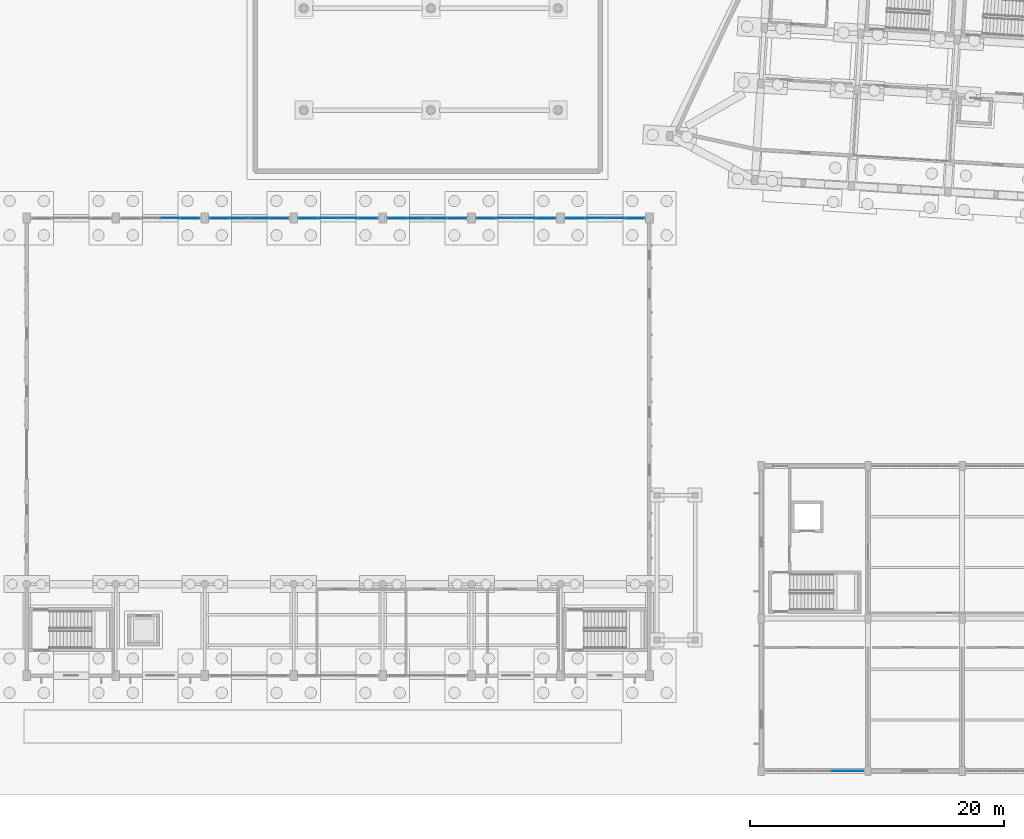
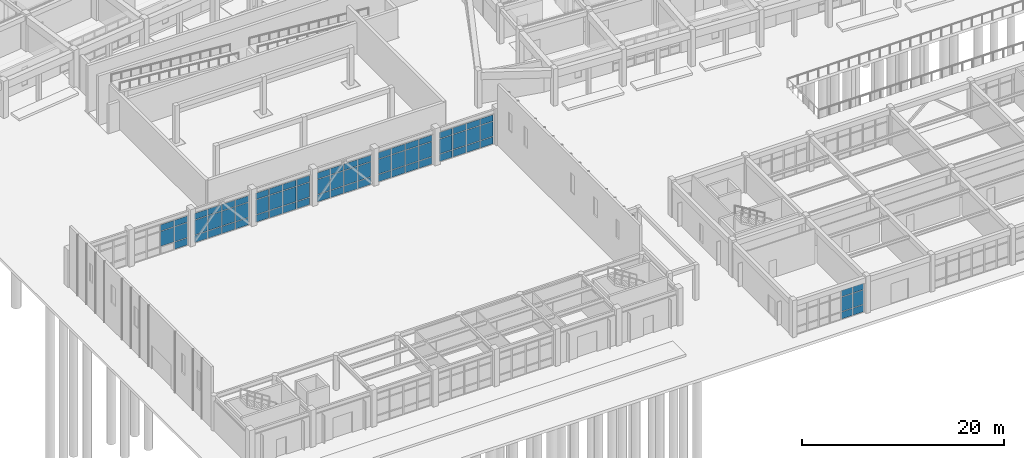
# One storey, part 101 of 154: 71 plates, 7 elements without a shape of their own.
"""IFC4 building model written with IfcOpenShell, lengths in metres."""

from ifc_helpers import new_model, si_unit, direction, frame, origin, origin_2d, place, context, subcontext, project, spatial, rectangle, extrude, material, layer, layer_set, type_object, element, aggregate, save


model = new_model("IFC4")

# Units and contexts
model_context = context("Model", 3, precision=1e-05, world=origin(), true_north=direction((0.0, 1.0)))
body_context = subcontext(model_context, "Body", "Model", "MODEL_VIEW")
ifc_project = project(units=[si_unit("LENGTHUNIT", "METRE"), si_unit("AREAUNIT", "SQUARE_METRE"), si_unit("VOLUMEUNIT", "CUBIC_METRE"), si_unit("PLANEANGLEUNIT", "RADIAN"), si_unit("MASSUNIT", "GRAM", prefix="KILO")], contexts=[model_context])

# Site, building, storey
site_placement = place(None, origin())
site = spatial("IfcSite", under=ifc_project, at=site_placement, CompositionType="ELEMENT")
building_placement = place(site_placement, origin())
building = spatial("IfcBuilding", under=site, at=building_placement, Name="Kestramere Prow Commons", CompositionType="ELEMENT")
storey_placement = place(building_placement, origin())
storey = spatial("IfcBuildingStorey", under=building, at=storey_placement, Name="L00", CompositionType="ELEMENT", Elevation=0.0)

# Curtain wall, plates
ifc_material_1 = material(Name="Anodised Aluminium and Low-E Glass", Category="aluminium")
curtain_wall_type_1 = type_object("IfcCurtainWallType", Name="CW-11 Glazed Curtain Wall 6300x3650", PredefinedType="USERDEFINED", material=ifc_material_1)
curtain_wall_1_placement = place(storey_placement, origin())
curtain_wall_1 = element("IfcCurtainWall", 1, at=curtain_wall_1_placement, inside=storey, type_object=curtain_wall_type_1, Name="Hall North Courtyard Curtain Wall L00-2", ObjectType="GLAZED CURTAIN WALL", PredefinedType="USERDEFINED")
ifc_material_2 = material(Name="Low-E Laminated Double Glazing", Category="glass")
ifc_layer = layer(ifc_material_2, 0.028076171875)
ifc_layer_set = layer_set([ifc_layer], Name="Low-E Laminated Double Glazing")
plate_type = type_object("IfcPlateType", Name="CW-PNL-28", PredefinedType="CURTAIN_PANEL", material=ifc_layer_set)
plate_1_placement = place(storey_placement, frame((13.487548828125, 43.5, 0.982421875), z_axis=(0.0, 0.0, 1.0), x_axis=(1.0, 0.0, 0.0)))
plate_1 = element("IfcPlate", 2, at=plate_1_placement, type_object=plate_type, Name="CW-11 panel 3.2", PredefinedType="CURTAIN_PANEL", context=body_context, shape_type="SweptSolid", body=[
    extrude(rectangle(XDim=1.510009765625, YDim=0.028076171875, at=origin_2d()), origin(), (0.0, 0.0, 1.0), 1.784912109375),
])
plate_2_placement = place(storey_placement, frame((13.487548828125, 43.5, 2.83251953125), z_axis=(0.0, 0.0, 1.0), x_axis=(1.0, 0.0, 0.0)))
plate_2 = element("IfcPlate", 3, at=plate_2_placement, type_object=plate_type, Name="CW-11 panel 3.3", PredefinedType="CURTAIN_PANEL", context=body_context, shape_type="SweptSolid", body=[
    extrude(rectangle(XDim=1.510009765625, YDim=0.028076171875, at=origin_2d()), origin(), (0.0, 0.0, 1.0), 0.75244140625),
])
plate_3_placement = place(storey_placement, frame((15.046142578125, 43.5, 0.06494140625), z_axis=(0.0, 0.0, 1.0), x_axis=(1.0, 0.0, 0.0)))
plate_3 = element("IfcPlate", 4, at=plate_3_placement, type_object=plate_type, Name="CW-11 panel 4.1", PredefinedType="CURTAIN_PANEL", context=body_context, shape_type="SweptSolid", body=[
    extrude(rectangle(XDim=1.4775390625, YDim=0.028076171875, at=origin_2d()), origin(), (0.0, 0.0, 1.0), 0.8525390625),
])
plate_4_placement = place(storey_placement, frame((15.046142578125, 43.5, 0.982421875), z_axis=(0.0, 0.0, 1.0), x_axis=(1.0, 0.0, 0.0)))
plate_4 = element("IfcPlate", 5, at=plate_4_placement, type_object=plate_type, Name="CW-11 panel 4.2", PredefinedType="CURTAIN_PANEL", context=body_context, shape_type="SweptSolid", body=[
    extrude(rectangle(XDim=1.4775390625, YDim=0.028076171875, at=origin_2d()), origin(), (0.0, 0.0, 1.0), 1.784912109375),
])
plate_5_placement = place(storey_placement, frame((15.046142578125, 43.5, 2.83251953125), z_axis=(0.0, 0.0, 1.0), x_axis=(1.0, 0.0, 0.0)))
plate_5 = element("IfcPlate", 6, at=plate_5_placement, type_object=plate_type, Name="CW-11 panel 4.3", PredefinedType="CURTAIN_PANEL", context=body_context, shape_type="SweptSolid", body=[
    extrude(rectangle(XDim=1.4775390625, YDim=0.028076171875, at=origin_2d()), origin(), (0.0, 0.0, 1.0), 0.75244140625),
])
aggregate(curtain_wall_1, [plate_1, plate_2, plate_3, plate_4, plate_5])

curtain_wall_2_placement = place(storey_placement, origin())
curtain_wall_2 = element("IfcCurtainWall", 7, at=curtain_wall_2_placement, inside=storey, type_object=curtain_wall_type_1, Name="Hall North Courtyard Curtain Wall L00-3", ObjectType="GLAZED CURTAIN WALL", PredefinedType="USERDEFINED")
plate_6_placement = place(storey_placement, frame((17.353759765625, 43.5, 0.06494140625), z_axis=(0.0, 0.0, 1.0), x_axis=(1.0, 0.0, 0.0)))
plate_6 = element("IfcPlate", 8, at=plate_6_placement, type_object=plate_type, Name="CW-11 panel 1.1", PredefinedType="CURTAIN_PANEL", context=body_context, shape_type="SweptSolid", body=[
    extrude(rectangle(XDim=1.4775390625, YDim=0.028076171875, at=origin_2d()), origin(), (0.0, 0.0, 1.0), 0.8525390625),
])
plate_7_placement = place(storey_placement, frame((17.353759765625, 43.5, 0.982421875), z_axis=(0.0, 0.0, 1.0), x_axis=(1.0, 0.0, 0.0)))
plate_7 = element("IfcPlate", 9, at=plate_7_placement, type_object=plate_type, Name="CW-11 panel 1.2", PredefinedType="CURTAIN_PANEL", context=body_context, shape_type="SweptSolid", body=[
    extrude(rectangle(XDim=1.4775390625, YDim=0.028076171875, at=origin_2d()), origin(), (0.0, 0.0, 1.0), 1.784912109375),
])
plate_8_placement = place(storey_placement, frame((17.353759765625, 43.5, 2.83251953125), z_axis=(0.0, 0.0, 1.0), x_axis=(1.0, 0.0, 0.0)))
plate_8 = element("IfcPlate", 10, at=plate_8_placement, type_object=plate_type, Name="CW-11 panel 1.3", PredefinedType="CURTAIN_PANEL", context=body_context, shape_type="SweptSolid", body=[
    extrude(rectangle(XDim=1.4775390625, YDim=0.028076171875, at=origin_2d()), origin(), (0.0, 0.0, 1.0), 0.75244140625),
])
plate_9_placement = place(storey_placement, frame((18.91259765625, 43.5, 0.06494140625), z_axis=(0.0, 0.0, 1.0), x_axis=(1.0, 0.0, 0.0)))
plate_9 = element("IfcPlate", 11, at=plate_9_placement, type_object=plate_type, Name="CW-11 panel 2.1", PredefinedType="CURTAIN_PANEL", context=body_context, shape_type="SweptSolid", body=[
    extrude(rectangle(XDim=1.510009765625, YDim=0.028076171875, at=origin_2d()), origin(), (0.0, 0.0, 1.0), 0.8525390625),
])
plate_10_placement = place(storey_placement, frame((18.91259765625, 43.5, 0.982421875), z_axis=(0.0, 0.0, 1.0), x_axis=(1.0, 0.0, 0.0)))
plate_10 = element("IfcPlate", 12, at=plate_10_placement, type_object=plate_type, Name="CW-11 panel 2.2", PredefinedType="CURTAIN_PANEL", context=body_context, shape_type="SweptSolid", body=[
    extrude(rectangle(XDim=1.510009765625, YDim=0.028076171875, at=origin_2d()), origin(), (0.0, 0.0, 1.0), 1.784912109375),
])
plate_11_placement = place(storey_placement, frame((18.91259765625, 43.5, 2.83251953125), z_axis=(0.0, 0.0, 1.0), x_axis=(1.0, 0.0, 0.0)))
plate_11 = element("IfcPlate", 13, at=plate_11_placement, type_object=plate_type, Name="CW-11 panel 2.3", PredefinedType="CURTAIN_PANEL", context=body_context, shape_type="SweptSolid", body=[
    extrude(rectangle(XDim=1.510009765625, YDim=0.028076171875, at=origin_2d()), origin(), (0.0, 0.0, 1.0), 0.75244140625),
])
plate_12_placement = place(storey_placement, frame((20.487548828125, 43.5, 0.06494140625), z_axis=(0.0, 0.0, 1.0), x_axis=(1.0, 0.0, 0.0)))
plate_12 = element("IfcPlate", 14, at=plate_12_placement, type_object=plate_type, Name="CW-11 panel 3.1", PredefinedType="CURTAIN_PANEL", context=body_context, shape_type="SweptSolid", body=[
    extrude(rectangle(XDim=1.510009765625, YDim=0.028076171875, at=origin_2d()), origin(), (0.0, 0.0, 1.0), 0.8525390625),
])
plate_13_placement = place(storey_placement, frame((20.487548828125, 43.5, 0.982421875), z_axis=(0.0, 0.0, 1.0), x_axis=(1.0, 0.0, 0.0)))
plate_13 = element("IfcPlate", 15, at=plate_13_placement, type_object=plate_type, Name="CW-11 panel 3.2", PredefinedType="CURTAIN_PANEL", context=body_context, shape_type="SweptSolid", body=[
    extrude(rectangle(XDim=1.510009765625, YDim=0.028076171875, at=origin_2d()), origin(), (0.0, 0.0, 1.0), 1.784912109375),
])
plate_14_placement = place(storey_placement, frame((20.487548828125, 43.5, 2.83251953125), z_axis=(0.0, 0.0, 1.0), x_axis=(1.0, 0.0, 0.0)))
plate_14 = element("IfcPlate", 16, at=plate_14_placement, type_object=plate_type, Name="CW-11 panel 3.3", PredefinedType="CURTAIN_PANEL", context=body_context, shape_type="SweptSolid", body=[
    extrude(rectangle(XDim=1.510009765625, YDim=0.028076171875, at=origin_2d()), origin(), (0.0, 0.0, 1.0), 0.75244140625),
])
plate_15_placement = place(storey_placement, frame((22.046142578125, 43.5, 0.06494140625), z_axis=(0.0, 0.0, 1.0), x_axis=(1.0, 0.0, 0.0)))
plate_15 = element("IfcPlate", 17, at=plate_15_placement, type_object=plate_type, Name="CW-11 panel 4.1", PredefinedType="CURTAIN_PANEL", context=body_context, shape_type="SweptSolid", body=[
    extrude(rectangle(XDim=1.4775390625, YDim=0.028076171875, at=origin_2d()), origin(), (0.0, 0.0, 1.0), 0.8525390625),
])
plate_16_placement = place(storey_placement, frame((22.046142578125, 43.5, 0.982421875), z_axis=(0.0, 0.0, 1.0), x_axis=(1.0, 0.0, 0.0)))
plate_16 = element("IfcPlate", 18, at=plate_16_placement, type_object=plate_type, Name="CW-11 panel 4.2", PredefinedType="CURTAIN_PANEL", context=body_context, shape_type="SweptSolid", body=[
    extrude(rectangle(XDim=1.4775390625, YDim=0.028076171875, at=origin_2d()), origin(), (0.0, 0.0, 1.0), 1.784912109375),
])
plate_17_placement = place(storey_placement, frame((22.046142578125, 43.5, 2.83251953125), z_axis=(0.0, 0.0, 1.0), x_axis=(1.0, 0.0, 0.0)))
plate_17 = element("IfcPlate", 19, at=plate_17_placement, type_object=plate_type, Name="CW-11 panel 4.3", PredefinedType="CURTAIN_PANEL", context=body_context, shape_type="SweptSolid", body=[
    extrude(rectangle(XDim=1.4775390625, YDim=0.028076171875, at=origin_2d()), origin(), (0.0, 0.0, 1.0), 0.75244140625),
])
aggregate(curtain_wall_2, [plate_6, plate_7, plate_8, plate_9, plate_10, plate_11, plate_12, plate_13, plate_14, plate_15, plate_16, plate_17])

curtain_wall_3_placement = place(storey_placement, origin())
curtain_wall_3 = element("IfcCurtainWall", 20, at=curtain_wall_3_placement, inside=storey, type_object=curtain_wall_type_1, Name="Hall North Courtyard Curtain Wall L00-4", ObjectType="GLAZED CURTAIN WALL", PredefinedType="USERDEFINED")
plate_18_placement = place(storey_placement, frame((24.353759765625, 43.5, 0.06494140625), z_axis=(0.0, 0.0, 1.0), x_axis=(1.0, 0.0, 0.0)))
plate_18 = element("IfcPlate", 21, at=plate_18_placement, type_object=plate_type, Name="CW-11 panel 1.1", PredefinedType="CURTAIN_PANEL", context=body_context, shape_type="SweptSolid", body=[
    extrude(rectangle(XDim=1.4775390625, YDim=0.028076171875, at=origin_2d()), origin(), (0.0, 0.0, 1.0), 0.8525390625),
])
plate_19_placement = place(storey_placement, frame((24.353759765625, 43.5, 0.982421875), z_axis=(0.0, 0.0, 1.0), x_axis=(1.0, 0.0, 0.0)))
plate_19 = element("IfcPlate", 22, at=plate_19_placement, type_object=plate_type, Name="CW-11 panel 1.2", PredefinedType="CURTAIN_PANEL", context=body_context, shape_type="SweptSolid", body=[
    extrude(rectangle(XDim=1.4775390625, YDim=0.028076171875, at=origin_2d()), origin(), (0.0, 0.0, 1.0), 1.784912109375),
])
plate_20_placement = place(storey_placement, frame((24.353759765625, 43.5, 2.83251953125), z_axis=(0.0, 0.0, 1.0), x_axis=(1.0, 0.0, 0.0)))
plate_20 = element("IfcPlate", 23, at=plate_20_placement, type_object=plate_type, Name="CW-11 panel 1.3", PredefinedType="CURTAIN_PANEL", context=body_context, shape_type="SweptSolid", body=[
    extrude(rectangle(XDim=1.4775390625, YDim=0.028076171875, at=origin_2d()), origin(), (0.0, 0.0, 1.0), 0.75244140625),
])
plate_21_placement = place(storey_placement, frame((25.91259765625, 43.5, 0.06494140625), z_axis=(0.0, 0.0, 1.0), x_axis=(1.0, 0.0, 0.0)))
plate_21 = element("IfcPlate", 24, at=plate_21_placement, type_object=plate_type, Name="CW-11 panel 2.1", PredefinedType="CURTAIN_PANEL", context=body_context, shape_type="SweptSolid", body=[
    extrude(rectangle(XDim=1.510009765625, YDim=0.028076171875, at=origin_2d()), origin(), (0.0, 0.0, 1.0), 0.8525390625),
])
plate_22_placement = place(storey_placement, frame((25.91259765625, 43.5, 0.982421875), z_axis=(0.0, 0.0, 1.0), x_axis=(1.0, 0.0, 0.0)))
plate_22 = element("IfcPlate", 25, at=plate_22_placement, type_object=plate_type, Name="CW-11 panel 2.2", PredefinedType="CURTAIN_PANEL", context=body_context, shape_type="SweptSolid", body=[
    extrude(rectangle(XDim=1.510009765625, YDim=0.028076171875, at=origin_2d()), origin(), (0.0, 0.0, 1.0), 1.784912109375),
])
plate_23_placement = place(storey_placement, frame((25.91259765625, 43.5, 2.83251953125), z_axis=(0.0, 0.0, 1.0), x_axis=(1.0, 0.0, 0.0)))
plate_23 = element("IfcPlate", 26, at=plate_23_placement, type_object=plate_type, Name="CW-11 panel 2.3", PredefinedType="CURTAIN_PANEL", context=body_context, shape_type="SweptSolid", body=[
    extrude(rectangle(XDim=1.510009765625, YDim=0.028076171875, at=origin_2d()), origin(), (0.0, 0.0, 1.0), 0.75244140625),
])
plate_24_placement = place(storey_placement, frame((27.487548828125, 43.5, 0.06494140625), z_axis=(0.0, 0.0, 1.0), x_axis=(1.0, 0.0, 0.0)))
plate_24 = element("IfcPlate", 27, at=plate_24_placement, type_object=plate_type, Name="CW-11 panel 3.1", PredefinedType="CURTAIN_PANEL", context=body_context, shape_type="SweptSolid", body=[
    extrude(rectangle(XDim=1.510009765625, YDim=0.028076171875, at=origin_2d()), origin(), (0.0, 0.0, 1.0), 0.8525390625),
])
plate_25_placement = place(storey_placement, frame((27.487548828125, 43.5, 0.982421875), z_axis=(0.0, 0.0, 1.0), x_axis=(1.0, 0.0, 0.0)))
plate_25 = element("IfcPlate", 28, at=plate_25_placement, type_object=plate_type, Name="CW-11 panel 3.2", PredefinedType="CURTAIN_PANEL", context=body_context, shape_type="SweptSolid", body=[
    extrude(rectangle(XDim=1.510009765625, YDim=0.028076171875, at=origin_2d()), origin(), (0.0, 0.0, 1.0), 1.784912109375),
])
plate_26_placement = place(storey_placement, frame((27.487548828125, 43.5, 2.83251953125), z_axis=(0.0, 0.0, 1.0), x_axis=(1.0, 0.0, 0.0)))
plate_26 = element("IfcPlate", 29, at=plate_26_placement, type_object=plate_type, Name="CW-11 panel 3.3", PredefinedType="CURTAIN_PANEL", context=body_context, shape_type="SweptSolid", body=[
    extrude(rectangle(XDim=1.510009765625, YDim=0.028076171875, at=origin_2d()), origin(), (0.0, 0.0, 1.0), 0.75244140625),
])
plate_27_placement = place(storey_placement, frame((29.046142578125, 43.5, 0.06494140625), z_axis=(0.0, 0.0, 1.0), x_axis=(1.0, 0.0, 0.0)))
plate_27 = element("IfcPlate", 30, at=plate_27_placement, type_object=plate_type, Name="CW-11 panel 4.1", PredefinedType="CURTAIN_PANEL", context=body_context, shape_type="SweptSolid", body=[
    extrude(rectangle(XDim=1.4775390625, YDim=0.028076171875, at=origin_2d()), origin(), (0.0, 0.0, 1.0), 0.8525390625),
])
plate_28_placement = place(storey_placement, frame((29.046142578125, 43.5, 0.982421875), z_axis=(0.0, 0.0, 1.0), x_axis=(1.0, 0.0, 0.0)))
plate_28 = element("IfcPlate", 31, at=plate_28_placement, type_object=plate_type, Name="CW-11 panel 4.2", PredefinedType="CURTAIN_PANEL", context=body_context, shape_type="SweptSolid", body=[
    extrude(rectangle(XDim=1.4775390625, YDim=0.028076171875, at=origin_2d()), origin(), (0.0, 0.0, 1.0), 1.784912109375),
])
plate_29_placement = place(storey_placement, frame((29.046142578125, 43.5, 2.83251953125), z_axis=(0.0, 0.0, 1.0), x_axis=(1.0, 0.0, 0.0)))
plate_29 = element("IfcPlate", 32, at=plate_29_placement, type_object=plate_type, Name="CW-11 panel 4.3", PredefinedType="CURTAIN_PANEL", context=body_context, shape_type="SweptSolid", body=[
    extrude(rectangle(XDim=1.4775390625, YDim=0.028076171875, at=origin_2d()), origin(), (0.0, 0.0, 1.0), 0.75244140625),
])
aggregate(curtain_wall_3, [plate_18, plate_19, plate_20, plate_21, plate_22, plate_23, plate_24, plate_25, plate_26, plate_27, plate_28, plate_29])

curtain_wall_4_placement = place(storey_placement, origin())
curtain_wall_4 = element("IfcCurtainWall", 33, at=curtain_wall_4_placement, inside=storey, type_object=curtain_wall_type_1, Name="Hall North Courtyard Curtain Wall L00-5", ObjectType="GLAZED CURTAIN WALL", PredefinedType="USERDEFINED")
plate_30_placement = place(storey_placement, frame((31.353759765625, 43.5, 0.06494140625), z_axis=(0.0, 0.0, 1.0), x_axis=(1.0, 0.0, 0.0)))
plate_30 = element("IfcPlate", 34, at=plate_30_placement, type_object=plate_type, Name="CW-11 panel 1.1", PredefinedType="CURTAIN_PANEL", context=body_context, shape_type="SweptSolid", body=[
    extrude(rectangle(XDim=1.4775390625, YDim=0.028076171875, at=origin_2d()), origin(), (0.0, 0.0, 1.0), 0.8525390625),
])
plate_31_placement = place(storey_placement, frame((31.353759765625, 43.5, 0.982421875), z_axis=(0.0, 0.0, 1.0), x_axis=(1.0, 0.0, 0.0)))
plate_31 = element("IfcPlate", 35, at=plate_31_placement, type_object=plate_type, Name="CW-11 panel 1.2", PredefinedType="CURTAIN_PANEL", context=body_context, shape_type="SweptSolid", body=[
    extrude(rectangle(XDim=1.4775390625, YDim=0.028076171875, at=origin_2d()), origin(), (0.0, 0.0, 1.0), 1.784912109375),
])
plate_32_placement = place(storey_placement, frame((31.353759765625, 43.5, 2.83251953125), z_axis=(0.0, 0.0, 1.0), x_axis=(1.0, 0.0, 0.0)))
plate_32 = element("IfcPlate", 36, at=plate_32_placement, type_object=plate_type, Name="CW-11 panel 1.3", PredefinedType="CURTAIN_PANEL", context=body_context, shape_type="SweptSolid", body=[
    extrude(rectangle(XDim=1.4775390625, YDim=0.028076171875, at=origin_2d()), origin(), (0.0, 0.0, 1.0), 0.75244140625),
])
plate_33_placement = place(storey_placement, frame((32.91259765625, 43.5, 0.06494140625), z_axis=(0.0, 0.0, 1.0), x_axis=(1.0, 0.0, 0.0)))
plate_33 = element("IfcPlate", 37, at=plate_33_placement, type_object=plate_type, Name="CW-11 panel 2.1", PredefinedType="CURTAIN_PANEL", context=body_context, shape_type="SweptSolid", body=[
    extrude(rectangle(XDim=1.510009765625, YDim=0.028076171875, at=origin_2d()), origin(), (0.0, 0.0, 1.0), 0.8525390625),
])
plate_34_placement = place(storey_placement, frame((32.91259765625, 43.5, 0.982421875), z_axis=(0.0, 0.0, 1.0), x_axis=(1.0, 0.0, 0.0)))
plate_34 = element("IfcPlate", 38, at=plate_34_placement, type_object=plate_type, Name="CW-11 panel 2.2", PredefinedType="CURTAIN_PANEL", context=body_context, shape_type="SweptSolid", body=[
    extrude(rectangle(XDim=1.510009765625, YDim=0.028076171875, at=origin_2d()), origin(), (0.0, 0.0, 1.0), 1.784912109375),
])
plate_35_placement = place(storey_placement, frame((32.91259765625, 43.5, 2.83251953125), z_axis=(0.0, 0.0, 1.0), x_axis=(1.0, 0.0, 0.0)))
plate_35 = element("IfcPlate", 39, at=plate_35_placement, type_object=plate_type, Name="CW-11 panel 2.3", PredefinedType="CURTAIN_PANEL", context=body_context, shape_type="SweptSolid", body=[
    extrude(rectangle(XDim=1.510009765625, YDim=0.028076171875, at=origin_2d()), origin(), (0.0, 0.0, 1.0), 0.75244140625),
])
plate_36_placement = place(storey_placement, frame((34.487548828125, 43.5, 0.06494140625), z_axis=(0.0, 0.0, 1.0), x_axis=(1.0, 0.0, 0.0)))
plate_36 = element("IfcPlate", 40, at=plate_36_placement, type_object=plate_type, Name="CW-11 panel 3.1", PredefinedType="CURTAIN_PANEL", context=body_context, shape_type="SweptSolid", body=[
    extrude(rectangle(XDim=1.510009765625, YDim=0.028076171875, at=origin_2d()), origin(), (0.0, 0.0, 1.0), 0.8525390625),
])
plate_37_placement = place(storey_placement, frame((34.487548828125, 43.5, 0.982421875), z_axis=(0.0, 0.0, 1.0), x_axis=(1.0, 0.0, 0.0)))
plate_37 = element("IfcPlate", 41, at=plate_37_placement, type_object=plate_type, Name="CW-11 panel 3.2", PredefinedType="CURTAIN_PANEL", context=body_context, shape_type="SweptSolid", body=[
    extrude(rectangle(XDim=1.510009765625, YDim=0.028076171875, at=origin_2d()), origin(), (0.0, 0.0, 1.0), 1.784912109375),
])
plate_38_placement = place(storey_placement, frame((34.487548828125, 43.5, 2.83251953125), z_axis=(0.0, 0.0, 1.0), x_axis=(1.0, 0.0, 0.0)))
plate_38 = element("IfcPlate", 42, at=plate_38_placement, type_object=plate_type, Name="CW-11 panel 3.3", PredefinedType="CURTAIN_PANEL", context=body_context, shape_type="SweptSolid", body=[
    extrude(rectangle(XDim=1.510009765625, YDim=0.028076171875, at=origin_2d()), origin(), (0.0, 0.0, 1.0), 0.75244140625),
])
plate_39_placement = place(storey_placement, frame((36.046142578125, 43.5, 0.06494140625), z_axis=(0.0, 0.0, 1.0), x_axis=(1.0, 0.0, 0.0)))
plate_39 = element("IfcPlate", 43, at=plate_39_placement, type_object=plate_type, Name="CW-11 panel 4.1", PredefinedType="CURTAIN_PANEL", context=body_context, shape_type="SweptSolid", body=[
    extrude(rectangle(XDim=1.4775390625, YDim=0.028076171875, at=origin_2d()), origin(), (0.0, 0.0, 1.0), 0.8525390625),
])
plate_40_placement = place(storey_placement, frame((36.046142578125, 43.5, 0.982421875), z_axis=(0.0, 0.0, 1.0), x_axis=(1.0, 0.0, 0.0)))
plate_40 = element("IfcPlate", 44, at=plate_40_placement, type_object=plate_type, Name="CW-11 panel 4.2", PredefinedType="CURTAIN_PANEL", context=body_context, shape_type="SweptSolid", body=[
    extrude(rectangle(XDim=1.4775390625, YDim=0.028076171875, at=origin_2d()), origin(), (0.0, 0.0, 1.0), 1.784912109375),
])
plate_41_placement = place(storey_placement, frame((36.046142578125, 43.5, 2.83251953125), z_axis=(0.0, 0.0, 1.0), x_axis=(1.0, 0.0, 0.0)))
plate_41 = element("IfcPlate", 45, at=plate_41_placement, type_object=plate_type, Name="CW-11 panel 4.3", PredefinedType="CURTAIN_PANEL", context=body_context, shape_type="SweptSolid", body=[
    extrude(rectangle(XDim=1.4775390625, YDim=0.028076171875, at=origin_2d()), origin(), (0.0, 0.0, 1.0), 0.75244140625),
])
aggregate(curtain_wall_4, [plate_30, plate_31, plate_32, plate_33, plate_34, plate_35, plate_36, plate_37, plate_38, plate_39, plate_40, plate_41])

curtain_wall_5_placement = place(storey_placement, origin())
curtain_wall_5 = element("IfcCurtainWall", 46, at=curtain_wall_5_placement, inside=storey, type_object=curtain_wall_type_1, Name="Hall North Courtyard Curtain Wall L00-6", ObjectType="GLAZED CURTAIN WALL", PredefinedType="USERDEFINED")
plate_42_placement = place(storey_placement, frame((38.353759765625, 43.5, 0.06494140625), z_axis=(0.0, 0.0, 1.0), x_axis=(1.0, 0.0, 0.0)))
plate_42 = element("IfcPlate", 47, at=plate_42_placement, type_object=plate_type, Name="CW-11 panel 1.1", PredefinedType="CURTAIN_PANEL", context=body_context, shape_type="SweptSolid", body=[
    extrude(rectangle(XDim=1.4775390625, YDim=0.028076171875, at=origin_2d()), origin(), (0.0, 0.0, 1.0), 0.8525390625),
])
plate_43_placement = place(storey_placement, frame((38.353759765625, 43.5, 0.982421875), z_axis=(0.0, 0.0, 1.0), x_axis=(1.0, 0.0, 0.0)))
plate_43 = element("IfcPlate", 48, at=plate_43_placement, type_object=plate_type, Name="CW-11 panel 1.2", PredefinedType="CURTAIN_PANEL", context=body_context, shape_type="SweptSolid", body=[
    extrude(rectangle(XDim=1.4775390625, YDim=0.028076171875, at=origin_2d()), origin(), (0.0, 0.0, 1.0), 1.784912109375),
])
plate_44_placement = place(storey_placement, frame((38.353759765625, 43.5, 2.83251953125), z_axis=(0.0, 0.0, 1.0), x_axis=(1.0, 0.0, 0.0)))
plate_44 = element("IfcPlate", 49, at=plate_44_placement, type_object=plate_type, Name="CW-11 panel 1.3", PredefinedType="CURTAIN_PANEL", context=body_context, shape_type="SweptSolid", body=[
    extrude(rectangle(XDim=1.4775390625, YDim=0.028076171875, at=origin_2d()), origin(), (0.0, 0.0, 1.0), 0.75244140625),
])
plate_45_placement = place(storey_placement, frame((39.91259765625, 43.5, 0.06494140625), z_axis=(0.0, 0.0, 1.0), x_axis=(1.0, 0.0, 0.0)))
plate_45 = element("IfcPlate", 50, at=plate_45_placement, type_object=plate_type, Name="CW-11 panel 2.1", PredefinedType="CURTAIN_PANEL", context=body_context, shape_type="SweptSolid", body=[
    extrude(rectangle(XDim=1.510009765625, YDim=0.028076171875, at=origin_2d()), origin(), (0.0, 0.0, 1.0), 0.8525390625),
])
plate_46_placement = place(storey_placement, frame((39.91259765625, 43.5, 0.982421875), z_axis=(0.0, 0.0, 1.0), x_axis=(1.0, 0.0, 0.0)))
plate_46 = element("IfcPlate", 51, at=plate_46_placement, type_object=plate_type, Name="CW-11 panel 2.2", PredefinedType="CURTAIN_PANEL", context=body_context, shape_type="SweptSolid", body=[
    extrude(rectangle(XDim=1.510009765625, YDim=0.028076171875, at=origin_2d()), origin(), (0.0, 0.0, 1.0), 1.784912109375),
])
plate_47_placement = place(storey_placement, frame((39.91259765625, 43.5, 2.83251953125), z_axis=(0.0, 0.0, 1.0), x_axis=(1.0, 0.0, 0.0)))
plate_47 = element("IfcPlate", 52, at=plate_47_placement, type_object=plate_type, Name="CW-11 panel 2.3", PredefinedType="CURTAIN_PANEL", context=body_context, shape_type="SweptSolid", body=[
    extrude(rectangle(XDim=1.510009765625, YDim=0.028076171875, at=origin_2d()), origin(), (0.0, 0.0, 1.0), 0.75244140625),
])
plate_48_placement = place(storey_placement, frame((41.487548828125, 43.5, 0.06494140625), z_axis=(0.0, 0.0, 1.0), x_axis=(1.0, 0.0, 0.0)))
plate_48 = element("IfcPlate", 53, at=plate_48_placement, type_object=plate_type, Name="CW-11 panel 3.1", PredefinedType="CURTAIN_PANEL", context=body_context, shape_type="SweptSolid", body=[
    extrude(rectangle(XDim=1.510009765625, YDim=0.028076171875, at=origin_2d()), origin(), (0.0, 0.0, 1.0), 0.8525390625),
])
plate_49_placement = place(storey_placement, frame((41.487548828125, 43.5, 0.982421875), z_axis=(0.0, 0.0, 1.0), x_axis=(1.0, 0.0, 0.0)))
plate_49 = element("IfcPlate", 54, at=plate_49_placement, type_object=plate_type, Name="CW-11 panel 3.2", PredefinedType="CURTAIN_PANEL", context=body_context, shape_type="SweptSolid", body=[
    extrude(rectangle(XDim=1.510009765625, YDim=0.028076171875, at=origin_2d()), origin(), (0.0, 0.0, 1.0), 1.784912109375),
])
plate_50_placement = place(storey_placement, frame((41.487548828125, 43.5, 2.83251953125), z_axis=(0.0, 0.0, 1.0), x_axis=(1.0, 0.0, 0.0)))
plate_50 = element("IfcPlate", 55, at=plate_50_placement, type_object=plate_type, Name="CW-11 panel 3.3", PredefinedType="CURTAIN_PANEL", context=body_context, shape_type="SweptSolid", body=[
    extrude(rectangle(XDim=1.510009765625, YDim=0.028076171875, at=origin_2d()), origin(), (0.0, 0.0, 1.0), 0.75244140625),
])
plate_51_placement = place(storey_placement, frame((43.046142578125, 43.5, 0.06494140625), z_axis=(0.0, 0.0, 1.0), x_axis=(1.0, 0.0, 0.0)))
plate_51 = element("IfcPlate", 56, at=plate_51_placement, type_object=plate_type, Name="CW-11 panel 4.1", PredefinedType="CURTAIN_PANEL", context=body_context, shape_type="SweptSolid", body=[
    extrude(rectangle(XDim=1.4775390625, YDim=0.028076171875, at=origin_2d()), origin(), (0.0, 0.0, 1.0), 0.8525390625),
])
plate_52_placement = place(storey_placement, frame((43.046142578125, 43.5, 0.982421875), z_axis=(0.0, 0.0, 1.0), x_axis=(1.0, 0.0, 0.0)))
plate_52 = element("IfcPlate", 57, at=plate_52_placement, type_object=plate_type, Name="CW-11 panel 4.2", PredefinedType="CURTAIN_PANEL", context=body_context, shape_type="SweptSolid", body=[
    extrude(rectangle(XDim=1.4775390625, YDim=0.028076171875, at=origin_2d()), origin(), (0.0, 0.0, 1.0), 1.784912109375),
])
plate_53_placement = place(storey_placement, frame((43.046142578125, 43.5, 2.83251953125), z_axis=(0.0, 0.0, 1.0), x_axis=(1.0, 0.0, 0.0)))
plate_53 = element("IfcPlate", 58, at=plate_53_placement, type_object=plate_type, Name="CW-11 panel 4.3", PredefinedType="CURTAIN_PANEL", context=body_context, shape_type="SweptSolid", body=[
    extrude(rectangle(XDim=1.4775390625, YDim=0.028076171875, at=origin_2d()), origin(), (0.0, 0.0, 1.0), 0.75244140625),
])
aggregate(curtain_wall_5, [plate_42, plate_43, plate_44, plate_45, plate_46, plate_47, plate_48, plate_49, plate_50, plate_51, plate_52, plate_53])

curtain_wall_6_placement = place(storey_placement, origin())
curtain_wall_6 = element("IfcCurtainWall", 59, at=curtain_wall_6_placement, inside=storey, type_object=curtain_wall_type_1, Name="Hall North Courtyard Curtain Wall L00-7", ObjectType="GLAZED CURTAIN WALL", PredefinedType="USERDEFINED")
plate_54_placement = place(storey_placement, frame((45.353759765625, 43.5, 0.06494140625), z_axis=(0.0, 0.0, 1.0), x_axis=(1.0, 0.0, 0.0)))
plate_54 = element("IfcPlate", 60, at=plate_54_placement, type_object=plate_type, Name="CW-11 panel 1.1", PredefinedType="CURTAIN_PANEL", context=body_context, shape_type="SweptSolid", body=[
    extrude(rectangle(XDim=1.4775390625, YDim=0.028076171875, at=origin_2d()), origin(), (0.0, 0.0, 1.0), 0.8525390625),
])
plate_55_placement = place(storey_placement, frame((45.353759765625, 43.5, 0.982421875), z_axis=(0.0, 0.0, 1.0), x_axis=(1.0, 0.0, 0.0)))
plate_55 = element("IfcPlate", 61, at=plate_55_placement, type_object=plate_type, Name="CW-11 panel 1.2", PredefinedType="CURTAIN_PANEL", context=body_context, shape_type="SweptSolid", body=[
    extrude(rectangle(XDim=1.4775390625, YDim=0.028076171875, at=origin_2d()), origin(), (0.0, 0.0, 1.0), 1.784912109375),
])
plate_56_placement = place(storey_placement, frame((45.353759765625, 43.5, 2.83251953125), z_axis=(0.0, 0.0, 1.0), x_axis=(1.0, 0.0, 0.0)))
plate_56 = element("IfcPlate", 62, at=plate_56_placement, type_object=plate_type, Name="CW-11 panel 1.3", PredefinedType="CURTAIN_PANEL", context=body_context, shape_type="SweptSolid", body=[
    extrude(rectangle(XDim=1.4775390625, YDim=0.028076171875, at=origin_2d()), origin(), (0.0, 0.0, 1.0), 0.75244140625),
])
plate_57_placement = place(storey_placement, frame((46.91259765625, 43.5, 0.06494140625), z_axis=(0.0, 0.0, 1.0), x_axis=(1.0, 0.0, 0.0)))
plate_57 = element("IfcPlate", 63, at=plate_57_placement, type_object=plate_type, Name="CW-11 panel 2.1", PredefinedType="CURTAIN_PANEL", context=body_context, shape_type="SweptSolid", body=[
    extrude(rectangle(XDim=1.510009765625, YDim=0.028076171875, at=origin_2d()), origin(), (0.0, 0.0, 1.0), 0.8525390625),
])
plate_58_placement = place(storey_placement, frame((46.91259765625, 43.5, 0.982421875), z_axis=(0.0, 0.0, 1.0), x_axis=(1.0, 0.0, 0.0)))
plate_58 = element("IfcPlate", 64, at=plate_58_placement, type_object=plate_type, Name="CW-11 panel 2.2", PredefinedType="CURTAIN_PANEL", context=body_context, shape_type="SweptSolid", body=[
    extrude(rectangle(XDim=1.510009765625, YDim=0.028076171875, at=origin_2d()), origin(), (0.0, 0.0, 1.0), 1.784912109375),
])
plate_59_placement = place(storey_placement, frame((46.91259765625, 43.5, 2.83251953125), z_axis=(0.0, 0.0, 1.0), x_axis=(1.0, 0.0, 0.0)))
plate_59 = element("IfcPlate", 65, at=plate_59_placement, type_object=plate_type, Name="CW-11 panel 2.3", PredefinedType="CURTAIN_PANEL", context=body_context, shape_type="SweptSolid", body=[
    extrude(rectangle(XDim=1.510009765625, YDim=0.028076171875, at=origin_2d()), origin(), (0.0, 0.0, 1.0), 0.75244140625),
])
plate_60_placement = place(storey_placement, frame((48.487548828125, 43.5, 0.06494140625), z_axis=(0.0, 0.0, 1.0), x_axis=(1.0, 0.0, 0.0)))
plate_60 = element("IfcPlate", 66, at=plate_60_placement, type_object=plate_type, Name="CW-11 panel 3.1", PredefinedType="CURTAIN_PANEL", context=body_context, shape_type="SweptSolid", body=[
    extrude(rectangle(XDim=1.510009765625, YDim=0.028076171875, at=origin_2d()), origin(), (0.0, 0.0, 1.0), 0.8525390625),
])
plate_61_placement = place(storey_placement, frame((48.487548828125, 43.5, 0.982421875), z_axis=(0.0, 0.0, 1.0), x_axis=(1.0, 0.0, 0.0)))
plate_61 = element("IfcPlate", 67, at=plate_61_placement, type_object=plate_type, Name="CW-11 panel 3.2", PredefinedType="CURTAIN_PANEL", context=body_context, shape_type="SweptSolid", body=[
    extrude(rectangle(XDim=1.510009765625, YDim=0.028076171875, at=origin_2d()), origin(), (0.0, 0.0, 1.0), 1.784912109375),
])
plate_62_placement = place(storey_placement, frame((48.487548828125, 43.5, 2.83251953125), z_axis=(0.0, 0.0, 1.0), x_axis=(1.0, 0.0, 0.0)))
plate_62 = element("IfcPlate", 68, at=plate_62_placement, type_object=plate_type, Name="CW-11 panel 3.3", PredefinedType="CURTAIN_PANEL", context=body_context, shape_type="SweptSolid", body=[
    extrude(rectangle(XDim=1.510009765625, YDim=0.028076171875, at=origin_2d()), origin(), (0.0, 0.0, 1.0), 0.75244140625),
])
plate_63_placement = place(storey_placement, frame((50.046142578125, 43.5, 0.06494140625), z_axis=(0.0, 0.0, 1.0), x_axis=(1.0, 0.0, 0.0)))
plate_63 = element("IfcPlate", 69, at=plate_63_placement, type_object=plate_type, Name="CW-11 panel 4.1", PredefinedType="CURTAIN_PANEL", context=body_context, shape_type="SweptSolid", body=[
    extrude(rectangle(XDim=1.4775390625, YDim=0.028076171875, at=origin_2d()), origin(), (0.0, 0.0, 1.0), 0.8525390625),
])
plate_64_placement = place(storey_placement, frame((50.046142578125, 43.5, 0.982421875), z_axis=(0.0, 0.0, 1.0), x_axis=(1.0, 0.0, 0.0)))
plate_64 = element("IfcPlate", 70, at=plate_64_placement, type_object=plate_type, Name="CW-11 panel 4.2", PredefinedType="CURTAIN_PANEL", context=body_context, shape_type="SweptSolid", body=[
    extrude(rectangle(XDim=1.4775390625, YDim=0.028076171875, at=origin_2d()), origin(), (0.0, 0.0, 1.0), 1.784912109375),
])
plate_65_placement = place(storey_placement, frame((50.046142578125, 43.5, 2.83251953125), z_axis=(0.0, 0.0, 1.0), x_axis=(1.0, 0.0, 0.0)))
plate_65 = element("IfcPlate", 71, at=plate_65_placement, type_object=plate_type, Name="CW-11 panel 4.3", PredefinedType="CURTAIN_PANEL", context=body_context, shape_type="SweptSolid", body=[
    extrude(rectangle(XDim=1.4775390625, YDim=0.028076171875, at=origin_2d()), origin(), (0.0, 0.0, 1.0), 0.75244140625),
])
aggregate(curtain_wall_6, [plate_54, plate_55, plate_56, plate_57, plate_58, plate_59, plate_60, plate_61, plate_62, plate_63, plate_64, plate_65])

curtain_wall_type_2 = type_object("IfcCurtainWallType", Name="CW-19 Glazed Curtain Wall 7800x3590", PredefinedType="USERDEFINED", material=ifc_material_1)
curtain_wall_7_placement = place(storey_placement, origin())
curtain_wall_7 = element("IfcCurtainWall", 72, at=curtain_wall_7_placement, inside=storey, type_object=curtain_wall_type_2, Name="Market L00 South Shopfront 1", ObjectType="GLAZED CURTAIN WALL", PredefinedType="USERDEFINED")
plate_66_placement = place(storey_placement, frame((67.433837890625, 0.0, 0.06494140625), z_axis=(0.0, 0.0, 1.0), x_axis=(-1.0, 0.0, 0.0)))
plate_66 = element("IfcPlate", 73, at=plate_66_placement, type_object=plate_type, Name="CW-19 panel 1.1", PredefinedType="CURTAIN_PANEL", context=body_context, shape_type="SweptSolid", body=[
    extrude(rectangle(XDim=1.202392578125, YDim=0.028076171875, at=origin_2d()), origin(), (0.0, 0.0, 1.0), 0.8525390625),
])
plate_67_placement = place(storey_placement, frame((67.433837890625, 0.0, 0.982421875), z_axis=(0.0, 0.0, 1.0), x_axis=(-1.0, 0.0, 0.0)))
plate_67 = element("IfcPlate", 74, at=plate_67_placement, type_object=plate_type, Name="CW-19 panel 1.2", PredefinedType="CURTAIN_PANEL", context=body_context, shape_type="SweptSolid", body=[
    extrude(rectangle(XDim=1.202392578125, YDim=0.028076171875, at=origin_2d()), origin(), (0.0, 0.0, 1.0), 1.72509765625),
])
plate_68_placement = place(storey_placement, frame((67.433837890625, 0.0, 2.7724609375), z_axis=(0.0, 0.0, 1.0), x_axis=(-1.0, 0.0, 0.0)))
plate_68 = element("IfcPlate", 75, at=plate_68_placement, type_object=plate_type, Name="CW-19 panel 1.3", PredefinedType="CURTAIN_PANEL", context=body_context, shape_type="SweptSolid", body=[
    extrude(rectangle(XDim=1.202392578125, YDim=0.028076171875, at=origin_2d()), origin(), (0.0, 0.0, 1.0), 0.75244140625),
])
plate_69_placement = place(storey_placement, frame((66.14990234375, 0.0, 0.06494140625), z_axis=(0.0, 0.0, 1.0), x_axis=(-1.0, 0.0, 0.0)))
plate_69 = element("IfcPlate", 76, at=plate_69_placement, type_object=plate_type, Name="CW-19 panel 2.1", PredefinedType="CURTAIN_PANEL", context=body_context, shape_type="SweptSolid", body=[
    extrude(rectangle(XDim=1.235107421875, YDim=0.028076171875, at=origin_2d()), origin(), (0.0, 0.0, 1.0), 0.8525390625),
])
plate_70_placement = place(storey_placement, frame((66.14990234375, 0.0, 0.982421875), z_axis=(0.0, 0.0, 1.0), x_axis=(-1.0, 0.0, 0.0)))
plate_70 = element("IfcPlate", 77, at=plate_70_placement, type_object=plate_type, Name="CW-19 panel 2.2", PredefinedType="CURTAIN_PANEL", context=body_context, shape_type="SweptSolid", body=[
    extrude(rectangle(XDim=1.235107421875, YDim=0.028076171875, at=origin_2d()), origin(), (0.0, 0.0, 1.0), 1.72509765625),
])
plate_71_placement = place(storey_placement, frame((66.14990234375, 0.0, 2.7724609375), z_axis=(0.0, 0.0, 1.0), x_axis=(-1.0, 0.0, 0.0)))
plate_71 = element("IfcPlate", 78, at=plate_71_placement, type_object=plate_type, Name="CW-19 panel 2.3", PredefinedType="CURTAIN_PANEL", context=body_context, shape_type="SweptSolid", body=[
    extrude(rectangle(XDim=1.235107421875, YDim=0.028076171875, at=origin_2d()), origin(), (0.0, 0.0, 1.0), 0.75244140625),
])
aggregate(curtain_wall_7, [plate_66, plate_67, plate_68, plate_69, plate_70, plate_71])

save(model, "model.ifc")
